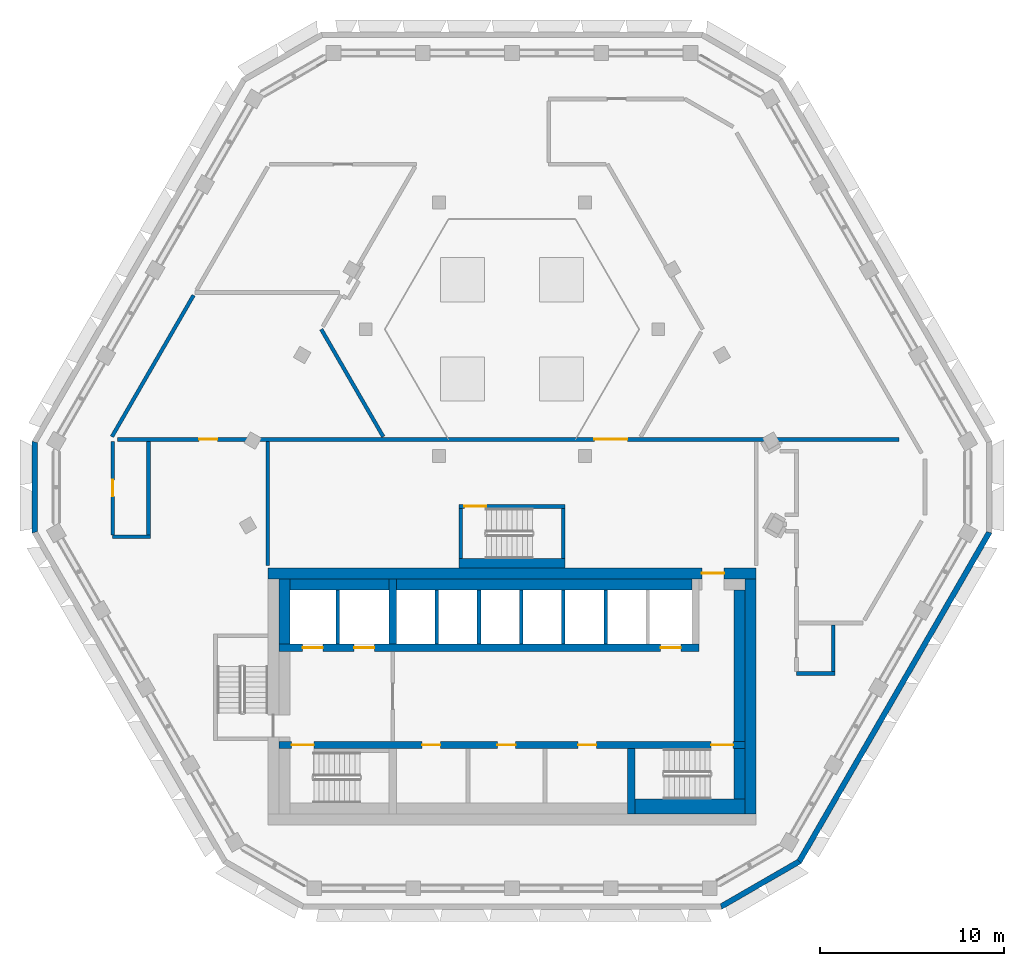
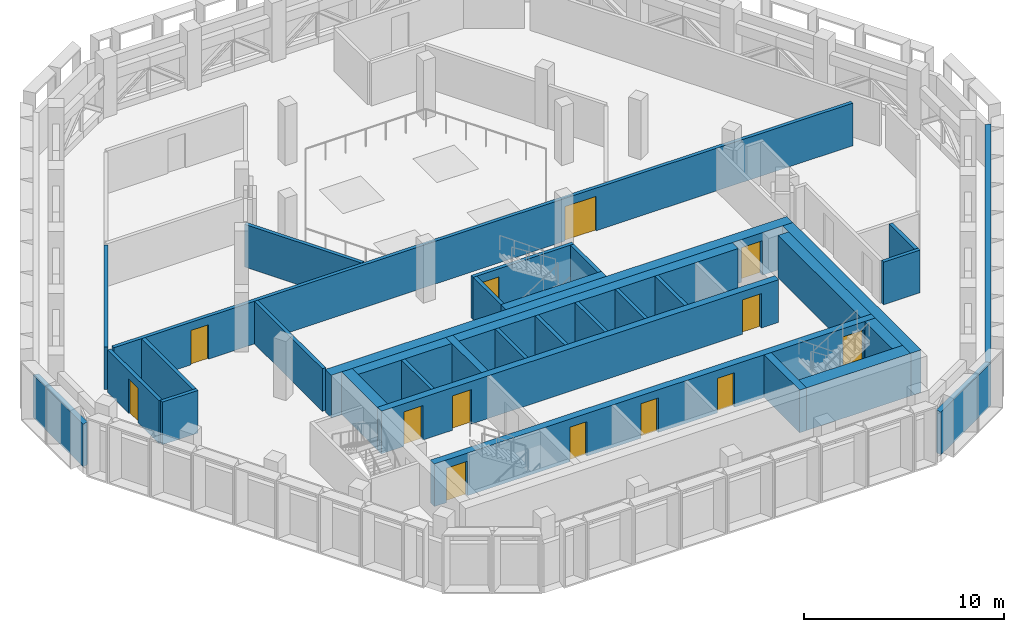
# One storey, part 11 of 24: 34 walls, 13 doors, 13 openings.
"""IFC4 building model written with IfcOpenShell, lengths in metres."""

from ifc_helpers import new_model, si_unit, direction, frame, frame_2d, origin, place, context, subcontext, project, spatial, polyline, rectangle, outline, extrude, material, layer, layer_set, type_object, element, fill, save


model = new_model("IFC4")

# Units and contexts
model_context = context("Model", 3, precision=1e-05, world=origin(), true_north=direction((0.0, 1.0)))
body_context = subcontext(model_context, "Body", "Model", "MODEL_VIEW")
ifc_project = project(units=[si_unit("LENGTHUNIT", "METRE"), si_unit("AREAUNIT", "SQUARE_METRE"), si_unit("VOLUMEUNIT", "CUBIC_METRE"), si_unit("PLANEANGLEUNIT", "RADIAN"), si_unit("MASSUNIT", "GRAM", prefix="KILO")], contexts=[model_context])

# Site, building, storey
site_placement = place(None, origin())
site = spatial("IfcSite", under=ifc_project, at=site_placement, CompositionType="ELEMENT")
building_placement = place(site_placement, origin())
building = spatial("IfcBuilding", under=site, at=building_placement, Name="Beryl Residences", CompositionType="ELEMENT")
storey_placement = place(building_placement, frame((0.0, 0.0, 199.199951171875)))
storey = spatial("IfcBuildingStorey", under=building, at=storey_placement, Name="L61", CompositionType="ELEMENT", Elevation=199.199951171875)

# Walls
ifc_material_1 = material(Name="Composite metal panel with mineral wool insulation")
ifc_layer_1 = layer(ifc_material_1, 0.300048828125)
ifc_layer_set_1 = layer_set([ifc_layer_1], Name="ES1 pale metal composite panel wall 300 mm")
wall_type_1 = type_object("IfcWallType", Name="ES1 pale metal composite panel wall 300 mm", PredefinedType="SOLIDWALL", material=ifc_layer_set_1)
for number, where, z_axis, x_axis, name in (
    (1, (-26.00390625, 1.89990234375, 0.0), (0.0, 0.0, 1.0), (0.0, -1.0, 0.0), "ES1 external wall L61 NW-SW"),
    (2, (11.35595703125, -23.469970703125, 0.0), (0.0, 0.0, 1.0), (0.866022959057, 0.500004234368, 0.0), "ES1 external wall L61 S-SE"),
):
    element("IfcWall", number, at=place(storey_placement, frame(where, z_axis=z_axis, x_axis=x_axis)), inside=storey, type_object=wall_type_1, Name=name, PredefinedType="SOLIDWALL", context=body_context, shape_type="SweptSolid", body=[
        extrude(outline(polyline([(0.0, -0.14990234375), (5.0, -0.14990234375), (4.919677734375, 0.14990234375), (0.080322265625, 0.14990234375), (0.0, -0.14990234375)])), origin(), (0.0, 0.0, 1.0), 2.60009765625),
    ])
wall_1_placement = place(storey_placement, frame((15.631103515625, -21.02490234375, 0.0), z_axis=(0.0, 0.0, 1.0), x_axis=(0.500018670445, 0.86601462413, 0.0)))
element("IfcWall", 3, at=wall_1_placement, inside=storey, type_object=wall_type_1, Name="ES1 external wall L61 SE", PredefinedType="SOLIDWALL", context=body_context, shape_type="SweptSolid", body=[
    extrude(outline(polyline([(0.0, -0.14990234375), (20.784912109375, -0.14990234375), (20.70458984375, 0.14990234375), (0.080322265625, 0.14990234375), (0.0, -0.14990234375)])), origin(), (0.0, 0.0, 1.0), 2.60009765625),
])
ifc_material_2 = material(Name="Cement board with tiles")
ifc_layer_2 = layer(ifc_material_2, 0.199951171875)
ifc_layer_set_2 = layer_set([ifc_layer_2], Name="PT11-200 wet area wall 200 mm")
wall_type_2 = type_object("IfcWallType", Name="PT11-200 wet area wall 200 mm", PredefinedType="PARTITIONING", material=ifc_layer_set_2)
wall_2_placement = place(storey_placement, frame((15.5, -10.751953125, 0.0), z_axis=(0.0, 0.0, 1.0), x_axis=(1.0, 0.0, 0.0)))
element("IfcWall", 4, at=wall_2_placement, inside=storey, type_object=wall_type_2, Name="Wall PT11-200 L61 001", PredefinedType="PARTITIONING", context=body_context, shape_type="SweptSolid", body=[
    extrude(rectangle(XDim=2.10009765625, YDim=0.199951171875, at=frame_2d((1.050048828125, 0.0))), origin(), (0.0, 0.0, 1.0), 2.60009765625),
])
wall_3_placement = place(storey_placement, frame((-21.75390625, -3.304931640625, 0.0), z_axis=(0.0, 0.0, 1.0), x_axis=(1.0, 0.0, 0.0)))
element("IfcWall", 5, at=wall_3_placement, inside=storey, type_object=wall_type_2, Name="Wall PT11-200 L61 002", PredefinedType="PARTITIONING", context=body_context, shape_type="SweptSolid", body=[
    extrude(rectangle(XDim=2.053955078125, YDim=0.199951171875, at=frame_2d((1.02685546875, 0.0))), origin(), (0.0, 0.0, 1.0), 2.60009765625),
])

# Wall, opening, door
wall_4_placement = place(storey_placement, frame((-21.75390625, -3.205078125, 0.0), z_axis=(0.0, 0.0, 1.0), x_axis=(0.0, 1.0, 0.0)))
wall_4 = element("IfcWall", 6, at=wall_4_placement, inside=storey, type_object=wall_type_2, Name="Wall PT11-200 L61 003", PredefinedType="PARTITIONING", context=body_context, shape_type="SweptSolid", body=[
    extrude(rectangle(XDim=5.10498046875, YDim=0.199951171875, at=frame_2d((2.552490234375, 0.0))), origin(), (0.0, 0.0, 1.0), 2.60009765625),
])
opening_1_placement = place(wall_4_placement, frame((3.001953125, 0.0, 0.0), z_axis=(0.0, 0.0, 1.0), x_axis=(-1.0, 0.0, 0.0)))
opening_1 = element("IfcOpeningElement", 7, at=opening_1_placement, cuts=wall_4, Name="Opening L61-01", PredefinedType="OPENING", context=body_context, shape_type="SweptSolid", body=[
    extrude(rectangle(XDim=0.89990234375, YDim=2.10009765625, at=frame_2d((0.449951171875, 1.050048828125))), frame((0.0, 0.10986328125, 0.0), z_axis=(0.0, -1.0, 0.0), x_axis=(1.0, 0.0, 0.0)), (0.0, 0.0, 1.0), 0.219970703125),
])
ifc_material_3 = material(Name="Timber door leaf", Category="wood")
door_type_1 = type_object("IfcDoorType", Name="D2 room door 900 x 2100 mm", OperationType="SINGLE_SWING_LEFT", PredefinedType="DOOR", material=ifc_material_3)
door_1_placement = place(opening_1_placement, origin())
door_1 = element("IfcDoor", 8, at=door_1_placement, inside=storey, type_object=door_type_1, Name="Door L61-01 L61 001", OperationType="SINGLE_SWING_RIGHT", OverallHeight=2.10009765625, OverallWidth=0.89990234375, PredefinedType="DOOR", context=body_context, shape_type="SweptSolid", body=[
    extrude(rectangle(XDim=0.89990234375, YDim=2.10009765625, at=frame_2d((0.449951171875, 1.050048828125))), frame((0.0, 0.02490234375, 0.0), z_axis=(0.0, -1.0, 0.0), x_axis=(1.0, 0.0, 0.0)), (0.0, 0.0, 1.0), 0.050048828125),
])
fill(opening_1, door_1)

# Walls
wall_5_placement = place(storey_placement, frame((-19.800048828125, -3.205078125, 0.0), z_axis=(0.0, 0.0, 1.0), x_axis=(0.0, 1.0, 0.0)))
element("IfcWall", 9, at=wall_5_placement, inside=storey, type_object=wall_type_2, Name="Wall PT11-200 L61 004", PredefinedType="PARTITIONING", context=body_context, shape_type="SweptSolid", body=[
    extrude(rectangle(XDim=5.10498046875, YDim=0.199951171875, at=frame_2d((2.552490234375, 0.0))), origin(), (0.0, 0.0, 1.0), 2.60009765625),
])
wall_6_placement = place(storey_placement, frame((17.5, -10.652099609375, 0.0), z_axis=(0.0, 0.0, 1.0), x_axis=(0.0, 1.0, 0.0)))
element("IfcWall", 10, at=wall_6_placement, inside=storey, type_object=wall_type_2, Name="Wall PT11-200 L61 005", PredefinedType="PARTITIONING", context=body_context, shape_type="SweptSolid", body=[
    extrude(rectangle(XDim=2.552001953125, YDim=0.199951171875, at=frame_2d((1.27587890625, 0.0))), origin(), (0.0, 0.0, 1.0), 2.60009765625),
])
ifc_material_4 = material(Name="Concrete masonry", Category="masonry")
ifc_layer_3 = layer(ifc_material_4, 0.60009765625)
ifc_layer_set_3 = layer_set([ifc_layer_3], Name="PT13-600 lobby wall 600 mm")
wall_type_3 = type_object("IfcWallType", Name="PT13-600 lobby wall 600 mm", PredefinedType="PARTITIONING", material=ifc_layer_set_3)
wall_7_placement = place(storey_placement, frame((12.39990234375, -14.449951171875, 0.0), z_axis=(0.0, 0.0, 1.0), x_axis=(0.0, 1.0, 0.0)))
element("IfcWall", 11, at=wall_7_placement, inside=storey, type_object=wall_type_3, Name="Lobby wall 27", PredefinedType="PARTITIONING", context=body_context, shape_type="SweptSolid", body=[
    extrude(rectangle(XDim=8.25, YDim=0.60009765625, at=frame_2d((4.125, 0.0))), origin(), (0.0, 0.0, 1.0), 2.60009765625),
])
ifc_material_5 = material(Name="Double stud gypsum board wall")
ifc_layer_4 = layer(ifc_material_5, 0.199951171875)
ifc_layer_set_4 = layer_set([ifc_layer_4], Name="PT4 corridor wall 200 mm double stud")
wall_type_4 = type_object("IfcWallType", Name="PT4 corridor wall 200 mm double stud", PredefinedType="PARTITIONING", material=ifc_layer_set_4)
wall_8_placement = place(storey_placement, frame((-13.300048828125, -4.8798828125, 0.0), z_axis=(0.0, 0.0, 1.0), x_axis=(0.0, 1.0, 0.0)))
element("IfcWall", 12, at=wall_8_placement, inside=storey, type_object=wall_type_4, Name="Wall PT4 L61 002", PredefinedType="PARTITIONING", context=body_context, shape_type="SweptSolid", body=[
    extrude(rectangle(XDim=6.77978515625, YDim=0.199951171875, at=frame_2d((3.389892578125, 0.0))), origin(), (0.0, 0.0, 1.0), 2.60009765625),
])

# Wall, opening, door
ifc_material_6 = material(Name="Concrete C40/50", Category="concrete")
ifc_layer_5 = layer(ifc_material_6, 0.199951171875)
ifc_layer_set_5 = layer_set([ifc_layer_5], Name="PT5 stair enclosure wall 200 mm reinforced concrete C40/50")
wall_type_5 = type_object("IfcWallType", Name="PT5 stair enclosure wall 200 mm reinforced concrete C40/50", PredefinedType="SOLIDWALL", material=ifc_layer_set_5)
wall_9_placement = place(storey_placement, frame((-2.89990234375, -1.64990234375, 0.0), z_axis=(0.0, 0.0, 1.0), x_axis=(1.0, 0.0, 0.0)))
wall_9 = element("IfcWall", 13, at=wall_9_placement, inside=storey, type_object=wall_type_5, Name="Wall PT5 L61 001", PredefinedType="SOLIDWALL", context=body_context, shape_type="SweptSolid", body=[
    extrude(rectangle(XDim=5.7998046875, YDim=0.199951171875, at=frame_2d((2.89990234375, 0.0))), origin(), (0.0, 0.0, 1.0), 2.60009765625),
])
opening_2_placement = place(wall_9_placement, frame((0.300048828125, 0.0, 0.0)))
opening_2 = element("IfcOpeningElement", 14, at=opening_2_placement, cuts=wall_9, Name="Opening DS04", PredefinedType="OPENING", context=body_context, shape_type="SweptSolid", body=[
    extrude(rectangle(XDim=1.199951171875, YDim=2.10009765625, at=frame_2d((0.60009765625, 1.050048828125))), frame((0.0, 0.10986328125, 0.0), z_axis=(0.0, -1.0, 0.0), x_axis=(1.0, 0.0, 0.0)), (0.0, 0.0, 1.0), 0.219970703125),
])
ifc_material_7 = material(Name="Steel door leaf in steel frame", Category="steel")
door_type_2 = type_object("IfcDoorType", Name="D4 stair door 1200 x 2100 mm", OperationType="SINGLE_SWING_LEFT", PredefinedType="DOOR", material=ifc_material_7)
door_2_placement = place(opening_2_placement, origin())
door_2 = element("IfcDoor", 15, at=door_2_placement, inside=storey, type_object=door_type_2, Name="Door DS04 L61 001", OperationType="SINGLE_SWING_LEFT", OverallHeight=2.10009765625, OverallWidth=1.199951171875, PredefinedType="DOOR", context=body_context, shape_type="SweptSolid", body=[
    extrude(rectangle(XDim=1.199951171875, YDim=2.10009765625, at=frame_2d((0.60009765625, 1.050048828125))), frame((0.0, 0.02490234375, 0.0), z_axis=(0.0, -1.0, 0.0), x_axis=(1.0, 0.0, 0.0)), (0.0, 0.0, 1.0), 0.050048828125),
])
fill(opening_2, door_2)

# Walls
for number, where, z_axis, x_axis, name in (
    (16, (-2.800048828125, -4.5, 0.0), (0.0, 0.0, 1.0), (0.0, 1.0, 0.0), "Wall PT5 L61 002"),
    (17, (2.800048828125, -4.5, 0.0), (0.0, 0.0, 1.0), (0.0, 1.0, 0.0), "Wall PT5 L61 003"),
):
    element("IfcWall", number, at=place(storey_placement, frame(where, z_axis=z_axis, x_axis=x_axis)), inside=storey, type_object=wall_type_5, Name=name, PredefinedType="SOLIDWALL", context=body_context, shape_type="SweptSolid", body=[
        extrude(rectangle(XDim=2.75, YDim=0.199951171875, at=frame_2d((1.375, 0.0))), origin(), (0.0, 0.0, 1.0), 2.60009765625),
    ])
ifc_material_8 = material(Name="Concrete C40/50", Category="concrete")
ifc_layer_6 = layer(ifc_material_8, 0.5)
ifc_layer_set_6 = layer_set([ifc_layer_6], Name="PT5-500 stair enclosure wall 500 mm")
wall_type_6 = type_object("IfcWallType", Name="PT5-500 stair enclosure wall 500 mm", PredefinedType="SOLIDWALL", material=ifc_layer_set_6)
wall_10_placement = place(storey_placement, frame((-2.89990234375, -4.75, 0.0), z_axis=(0.0, 0.0, 1.0), x_axis=(1.0, 0.0, 0.0)))
element("IfcWall", 18, at=wall_10_placement, inside=storey, type_object=wall_type_6, Name="Wall PT5-500 L61 001", PredefinedType="SOLIDWALL", context=body_context, shape_type="SweptSolid", body=[
    extrude(rectangle(XDim=5.7998046875, YDim=0.5, at=frame_2d((2.89990234375, 0.0))), origin(), (0.0, 0.0, 1.0), 2.60009765625),
])
ifc_material_9 = material(Name="Concrete C40/50", Category="concrete")
ifc_layer_7 = layer(ifc_material_9, 0.60009765625)
ifc_layer_set_7 = layer_set([ifc_layer_7], Name="PT5-600 stair enclosure wall 600 mm")
wall_type_7 = type_object("IfcWallType", Name="PT5-600 stair enclosure wall 600 mm", PredefinedType="SOLIDWALL", material=ifc_layer_set_7)
wall_11_placement = place(storey_placement, frame((12.39990234375, -17.60009765625, 0.0), z_axis=(0.0, 0.0, 1.0), x_axis=(0.0, 1.0, 0.0)))
element("IfcWall", 19, at=wall_11_placement, inside=storey, type_object=wall_type_7, Name="Stair wall 26", PredefinedType="SOLIDWALL", context=body_context, shape_type="SweptSolid", body=[
    extrude(rectangle(XDim=2.75, YDim=0.60009765625, at=frame_2d((1.375, 0.0))), origin(), (0.0, 0.0, 1.0), 2.60009765625),
])
ifc_material_10 = material(Name="Concrete C40/50", Category="concrete")
ifc_layer_8 = layer(ifc_material_10, 0.800048828125)
ifc_layer_set_8 = layer_set([ifc_layer_8], Name="PT5-800 stair enclosure wall 800 mm")
wall_type_8 = type_object("IfcWallType", Name="PT5-800 stair enclosure wall 800 mm", PredefinedType="SOLIDWALL", material=ifc_layer_set_8)
wall_12_placement = place(storey_placement, frame((6.699951171875, -18.0, 0.0), z_axis=(0.0, 0.0, 1.0), x_axis=(1.0, 0.0, 0.0)))
element("IfcWall", 20, at=wall_12_placement, inside=storey, type_object=wall_type_8, Name="Stair wall 22", PredefinedType="SOLIDWALL", context=body_context, shape_type="SweptSolid", body=[
    extrude(rectangle(XDim=6.0, YDim=0.800048828125, at=frame_2d((3.0, 0.0))), origin(), (0.0, 0.0, 1.0), 2.60009765625),
])
ifc_material_11 = material(Name="Concrete C40/50", Category="concrete")
ifc_layer_9 = layer(ifc_material_11, 0.199951171875)
ifc_layer_set_9 = layer_set([ifc_layer_9], Name="PT6 lift shaft wall 200 mm reinforced concrete C40/50")
wall_type_9 = type_object("IfcWallType", Name="PT6 lift shaft wall 200 mm reinforced concrete C40/50", PredefinedType="SOLIDWALL", material=ifc_layer_set_9)
for number, where, z_axis, x_axis, name in (
    (21, (-9.5, -9.14990234375, 0.0), (0.0, 0.0, 1.0), (0.0, 1.0, 0.0), "Lift shaft wall 11"),
    (22, (-4.10009765625, -9.14990234375, 0.0), (0.0, 0.0, 1.0), (0.0, 1.0, 0.0), "Lift shaft wall 15"),
    (23, (-1.800048828125, -9.14990234375, 0.0), (0.0, 0.0, 1.0), (0.0, 1.0, 0.0), "Lift shaft wall 17"),
    (24, (0.5, -9.14990234375, 0.0), (0.0, 0.0, 1.0), (0.0, 1.0, 0.0), "Lift shaft wall 18"),
    (25, (2.800048828125, -9.14990234375, 0.0), (0.0, 0.0, 1.0), (0.0, 1.0, 0.0), "Lift shaft wall 20"),
    (26, (5.10009765625, -9.14990234375, 0.0), (0.0, 0.0, 1.0), (0.0, 1.0, 0.0), "Lift shaft wall 21"),
):
    element("IfcWall", number, at=place(storey_placement, frame(where, z_axis=z_axis, x_axis=x_axis)), inside=storey, type_object=wall_type_9, Name=name, PredefinedType="SOLIDWALL", context=body_context, shape_type="SweptSolid", body=[
        extrude(rectangle(XDim=2.949951171875, YDim=0.199951171875, at=frame_2d((1.47509765625, 0.0))), origin(), (0.0, 0.0, 1.0), 2.60009765625),
    ])
ifc_material_12 = material(Name="Concrete C40/50", Category="concrete")
ifc_layer_10 = layer(ifc_material_12, 0.60009765625)
ifc_layer_set_10 = layer_set([ifc_layer_10], Name="PT6-600 lift shaft wall 600 mm")
wall_type_10 = type_object("IfcWallType", Name="PT6-600 lift shaft wall 600 mm", PredefinedType="SOLIDWALL", material=ifc_layer_set_10)
wall_13_placement = place(storey_placement, frame((-12.39990234375, -9.14990234375, 0.0), z_axis=(0.0, 0.0, 1.0), x_axis=(0.0, 1.0, 0.0)))
element("IfcWall", 27, at=wall_13_placement, inside=storey, type_object=wall_type_10, Name="Lift shaft wall 07", PredefinedType="SOLIDWALL", context=body_context, shape_type="SweptSolid", body=[
    extrude(rectangle(XDim=3.5498046875, YDim=0.60009765625, at=frame_2d((1.77490234375, 0.0))), origin(), (0.0, 0.0, 1.0), 2.60009765625),
])
wall_14_placement = place(storey_placement, frame((-12.10009765625, -5.89990234375, 0.0), z_axis=(0.0, 0.0, 1.0), x_axis=(1.0, 0.0, 0.0)))
element("IfcWall", 28, at=wall_14_placement, inside=storey, type_object=wall_type_10, Name="Lift shaft wall 09", PredefinedType="SOLIDWALL", context=body_context, shape_type="SweptSolid", body=[
    extrude(rectangle(XDim=5.400146484375, YDim=0.60009765625, at=frame_2d((2.7001953125, 0.0))), origin(), (0.0, 0.0, 1.0), 2.60009765625),
])
wall_15_placement = place(storey_placement, frame((-6.300048828125, -5.89990234375, 0.0), z_axis=(0.0, 0.0, 1.0), x_axis=(1.0, 0.0, 0.0)))
element("IfcWall", 29, at=wall_15_placement, inside=storey, type_object=wall_type_10, Name="Lift shaft wall 14", PredefinedType="SOLIDWALL", context=body_context, shape_type="SweptSolid", body=[
    extrude(rectangle(XDim=16.10009765625, YDim=0.60009765625, at=frame_2d((8.050048828125, 0.0))), origin(), (0.0, 0.0, 1.0), 2.60009765625),
])

# Wall, openings, doors
ifc_material_13 = material(Name="Concrete C40/50", Category="concrete")
ifc_layer_11 = layer(ifc_material_13, 0.199951171875)
ifc_layer_set_11 = layer_set([ifc_layer_11], Name="PT9-200 plant room wall 200 mm")
wall_type_11 = type_object("IfcWallType", Name="PT9-200 plant room wall 200 mm", PredefinedType="SOLIDWALL", material=ifc_layer_set_11)
wall_16_placement = place(storey_placement, frame((-21.48193359375, 2.0, 0.0), z_axis=(0.0, 0.0, 1.0), x_axis=(1.0, 0.0, 0.0)))
wall_16 = element("IfcWall", 30, at=wall_16_placement, inside=storey, type_object=wall_type_11, Name="Wall PT9-200 L61 005", PredefinedType="SOLIDWALL", context=body_context, shape_type="SweptSolid", body=[
    extrude(rectangle(XDim=42.56396484375, YDim=0.199951171875, at=frame_2d((21.281982421875, 0.0))), origin(), (0.0, 0.0, 1.0), 2.60009765625),
])
opening_3_placement = place(wall_16_placement, frame((4.431884765625, 0.0, 0.0)))
opening_3 = element("IfcOpeningElement", 31, at=opening_3_placement, cuts=wall_16, Name="Opening L61-06", PredefinedType="OPENING", context=body_context, shape_type="SweptSolid", body=[
    extrude(rectangle(XDim=1.0, YDim=2.10009765625, at=frame_2d((0.5, 1.050048828125))), frame((0.0, 0.10986328125, 0.0), z_axis=(0.0, -1.0, 0.0), x_axis=(1.0, 0.0, 0.0)), (0.0, 0.0, 1.0), 0.219970703125),
])
opening_4_placement = place(wall_16_placement, frame((25.971923828125, 0.0, 0.0)))
opening_4 = element("IfcOpeningElement", 32, at=opening_4_placement, cuts=wall_16, Name="Opening L61-07", PredefinedType="OPENING", context=body_context, shape_type="SweptSolid", body=[
    extrude(rectangle(XDim=1.800048828125, YDim=2.10009765625, at=frame_2d((0.89990234375, 1.050048828125))), frame((0.0, 0.10986328125, 0.0), z_axis=(0.0, -1.0, 0.0), x_axis=(1.0, 0.0, 0.0)), (0.0, 0.0, 1.0), 0.219970703125),
])
ifc_material_14 = material(Name="Steel door leaf in steel frame", Category="steel")
door_type_3 = type_object("IfcDoorType", Name="D16 plant room door 1000 x 2100 mm", OperationType="SINGLE_SWING_LEFT", PredefinedType="DOOR", material=ifc_material_14)
door_3_placement = place(opening_3_placement, origin())
door_3 = element("IfcDoor", 33, at=door_3_placement, inside=storey, type_object=door_type_3, Name="Door L61-06 L61 001", OperationType="SINGLE_SWING_RIGHT", OverallHeight=2.10009765625, OverallWidth=1.0, PredefinedType="DOOR", context=body_context, shape_type="SweptSolid", body=[
    extrude(rectangle(XDim=1.0, YDim=2.10009765625, at=frame_2d((0.5, 1.050048828125))), frame((0.0, 0.02490234375, 0.0), z_axis=(0.0, -1.0, 0.0), x_axis=(1.0, 0.0, 0.0)), (0.0, 0.0, 1.0), 0.050048828125),
])
fill(opening_3, door_3)
ifc_material_15 = material(Name="Timber door leaf", Category="wood")
door_type_4 = type_object("IfcDoorType", Name="D20 corridor door 1800 x 2100 mm", OperationType="DOUBLE_DOOR_SINGLE_SWING", PredefinedType="DOOR", material=ifc_material_15)
door_4_placement = place(opening_4_placement, origin())
door_4 = element("IfcDoor", 34, at=door_4_placement, inside=storey, type_object=door_type_4, Name="Door L61-07 L61 001", OperationType="DOUBLE_DOOR_SINGLE_SWING", OverallHeight=2.10009765625, OverallWidth=1.800048828125, PredefinedType="DOOR", context=body_context, shape_type="SweptSolid", body=[
    extrude(rectangle(XDim=1.800048828125, YDim=2.10009765625, at=frame_2d((0.89990234375, 1.050048828125))), frame((0.0, 0.02490234375, 0.0), z_axis=(0.0, -1.0, 0.0), x_axis=(1.0, 0.0, 0.0)), (0.0, 0.0, 1.0), 0.050048828125),
])
fill(opening_4, door_4)

# Walls
wall_17_placement = place(storey_placement, frame((-10.39208984375, 8.0, 0.0), z_axis=(0.0, 0.0, 1.0), x_axis=(0.500051862572, -0.865995458844, 0.0)))
element("IfcWall", 35, at=wall_17_placement, inside=storey, type_object=wall_type_11, Name="Wall PT9-200 L61 020", PredefinedType="SOLIDWALL", context=body_context, shape_type="SweptSolid", body=[
    extrude(rectangle(XDim=6.757568359375, YDim=0.199951171875, at=frame_2d((3.37890625, 0.0))), origin(), (0.0, 0.0, 1.0), 2.60009765625),
])
wall_18_placement = place(storey_placement, frame((-21.794921875, 2.14990234375, 0.0), z_axis=(0.0, 0.0, 1.0), x_axis=(0.500007671222, 0.866020974757, 0.0)))
element("IfcWall", 36, at=wall_18_placement, inside=storey, type_object=wall_type_11, Name="Wall PT9-200 L61 033", PredefinedType="SOLIDWALL", context=body_context, shape_type="SweptSolid", body=[
    extrude(rectangle(XDim=8.891357421875, YDim=0.199951171875, at=frame_2d((4.44580078125, 0.0))), origin(), (0.0, 0.0, 1.0), 2.60009765625),
])

# Wall, opening, door
ifc_material_16 = material(Name="Concrete C50/60", Category="concrete")
ifc_layer_12 = layer(ifc_material_16, 0.60009765625)
ifc_layer_set_12 = layer_set([ifc_layer_12], Name="SW4 core outer wall 600 mm C50/60")
wall_type_12 = type_object("IfcWallType", Name="SW4 core outer wall 600 mm C50/60", PredefinedType="SHEAR", material=ifc_layer_set_12)
wall_19_placement = place(storey_placement, frame((-13.300048828125, -5.300048828125, 0.0), z_axis=(0.0, 0.0, 1.0), x_axis=(1.0, 0.0, 0.0)))
wall_19 = element("IfcWall", 37, at=wall_19_placement, inside=storey, type_object=wall_type_12, Name="Core wall N L61", PredefinedType="SHEAR", context=body_context, shape_type="SweptSolid", body=[
    extrude(rectangle(XDim=26.60009765625, YDim=0.60009765625, at=frame_2d((13.300048828125, 0.0))), origin(), (0.0, 0.0, 1.0), 2.60009765625),
])
opening_5_placement = place(wall_19_placement, frame((23.64990234375, 0.0, 0.0)))
opening_5 = element("IfcOpeningElement", 38, at=opening_5_placement, cuts=wall_19, Name="Opening FD-NORTH", PredefinedType="OPENING", context=body_context, shape_type="SweptSolid", body=[
    extrude(rectangle(XDim=1.199951171875, YDim=2.10009765625, at=frame_2d((0.60009765625, 1.050048828125))), frame((0.0, 0.31005859375, 0.0), z_axis=(0.0, -1.0, 0.0), x_axis=(1.0, 0.0, 0.0)), (0.0, 0.0, 1.0), 0.6201171875),
])
ifc_material_17 = material(Name="Steel door leaf in steel frame", Category="steel")
door_type_5 = type_object("IfcDoorType", Name="D22 lobby door 1200 x 2100 mm", OperationType="DOUBLE_DOOR_SINGLE_SWING", PredefinedType="DOOR", material=ifc_material_17)
door_5_placement = place(opening_5_placement, origin())
door_5 = element("IfcDoor", 39, at=door_5_placement, inside=storey, type_object=door_type_5, Name="Door FD-NORTH L61 001", OperationType="DOUBLE_DOOR_SINGLE_SWING", OverallHeight=2.10009765625, OverallWidth=1.199951171875, PredefinedType="DOOR", context=body_context, shape_type="SweptSolid", body=[
    extrude(rectangle(XDim=1.199951171875, YDim=2.10009765625, at=frame_2d((0.60009765625, 1.050048828125))), frame((0.0, 0.02490234375, 0.0), z_axis=(0.0, -1.0, 0.0), x_axis=(1.0, 0.0, 0.0)), (0.0, 0.0, 1.0), 0.050048828125),
])
fill(opening_5, door_5)

# Wall
wall_20_placement = place(storey_placement, frame((13.0, -18.39990234375, 0.0), z_axis=(0.0, 0.0, 1.0), x_axis=(0.0, 1.0, 0.0)))
element("IfcWall", 40, at=wall_20_placement, inside=storey, type_object=wall_type_12, Name="Core wall E L61", PredefinedType="SHEAR", context=body_context, shape_type="SweptSolid", body=[
    extrude(rectangle(XDim=12.7998046875, YDim=0.60009765625, at=frame_2d((6.39990234375, 0.0))), origin(), (0.0, 0.0, 1.0), 2.60009765625),
])

# Wall, openings, doors
ifc_material_18 = material(Name="Concrete C50/60", Category="concrete")
ifc_layer_13 = layer(ifc_material_18, 0.39990234375)
ifc_layer_set_13 = layer_set([ifc_layer_13], Name="SW9 core internal wall 400 mm C50/60")
wall_type_13 = type_object("IfcWallType", Name="SW9 core internal wall 400 mm C50/60", PredefinedType="SHEAR", material=ifc_layer_set_13)
wall_21_placement = place(storey_placement, frame((-12.699951171875, -14.64990234375, 0.0), z_axis=(0.0, 0.0, 1.0), x_axis=(1.0, 0.0, 0.0)))
wall_21 = element("IfcWall", 41, at=wall_21_placement, inside=storey, type_object=wall_type_13, Name="Core wall SP1 L61", PredefinedType="SHEAR", context=body_context, shape_type="SweptSolid", body=[
    extrude(rectangle(XDim=25.39990234375, YDim=0.39990234375, at=frame_2d((12.699951171875, 0.0))), origin(), (0.0, 0.0, 1.0), 2.60009765625),
])
opening_6_placement = place(wall_21_placement, frame((1.89990234375, 0.0, 0.0), z_axis=(0.0, 0.0, 1.0), x_axis=(-1.0, 0.0, 0.0)))
opening_6 = element("IfcOpeningElement", 42, at=opening_6_placement, cuts=wall_21, Name="Opening SD-1", PredefinedType="OPENING", context=body_context, shape_type="SweptSolid", body=[
    extrude(rectangle(XDim=1.199951171875, YDim=2.10009765625, at=frame_2d((0.60009765625, 1.050048828125))), frame((0.0, 0.2099609375, 0.0), z_axis=(0.0, -1.0, 0.0), x_axis=(1.0, 0.0, 0.0)), (0.0, 0.0, 1.0), 0.419921875),
])
opening_7_placement = place(wall_21_placement, frame((24.75, 0.0, 0.0), z_axis=(0.0, 0.0, 1.0), x_axis=(-1.0, 0.0, 0.0)))
opening_7 = element("IfcOpeningElement", 43, at=opening_7_placement, cuts=wall_21, Name="Opening SD-3", PredefinedType="OPENING", context=body_context, shape_type="SweptSolid", body=[
    extrude(rectangle(XDim=1.199951171875, YDim=2.10009765625, at=frame_2d((0.60009765625, 1.050048828125))), frame((0.0, 0.2099609375, 0.0), z_axis=(0.0, -1.0, 0.0), x_axis=(1.0, 0.0, 0.0)), (0.0, 0.0, 1.0), 0.419921875),
])
opening_8_placement = place(wall_21_placement, frame((8.800048828125, 0.0, 0.0), z_axis=(0.0, 0.0, 1.0), x_axis=(-1.0, 0.0, 0.0)))
opening_8 = element("IfcOpeningElement", 44, at=opening_8_placement, cuts=wall_21, Name="Opening CD-D-S1", PredefinedType="OPENING", context=body_context, shape_type="SweptSolid", body=[
    extrude(rectangle(XDim=1.0, YDim=2.10009765625, at=frame_2d((0.5, 1.050048828125))), frame((0.0, 0.2099609375, 0.0), z_axis=(0.0, -1.0, 0.0), x_axis=(1.0, 0.0, 0.0)), (0.0, 0.0, 1.0), 0.419921875),
])
opening_9_placement = place(wall_21_placement, frame((12.89990234375, 0.0, 0.0), z_axis=(0.0, 0.0, 1.0), x_axis=(-1.0, 0.0, 0.0)))
opening_9 = element("IfcOpeningElement", 45, at=opening_9_placement, cuts=wall_21, Name="Opening CD-D-S2", PredefinedType="OPENING", context=body_context, shape_type="SweptSolid", body=[
    extrude(rectangle(XDim=1.0, YDim=2.10009765625, at=frame_2d((0.5, 1.050048828125))), frame((0.0, 0.2099609375, 0.0), z_axis=(0.0, -1.0, 0.0), x_axis=(1.0, 0.0, 0.0)), (0.0, 0.0, 1.0), 0.419921875),
])
opening_10_placement = place(wall_21_placement, frame((17.300048828125, 0.0, 0.0), z_axis=(0.0, 0.0, 1.0), x_axis=(-1.0, 0.0, 0.0)))
opening_10 = element("IfcOpeningElement", 46, at=opening_10_placement, cuts=wall_21, Name="Opening CD-D-S3", PredefinedType="OPENING", context=body_context, shape_type="SweptSolid", body=[
    extrude(rectangle(XDim=1.0, YDim=2.10009765625, at=frame_2d((0.5, 1.050048828125))), frame((0.0, 0.2099609375, 0.0), z_axis=(0.0, -1.0, 0.0), x_axis=(1.0, 0.0, 0.0)), (0.0, 0.0, 1.0), 0.419921875),
])
ifc_material_19 = material(Name="Steel door leaf in steel frame", Category="steel")
door_type_6 = type_object("IfcDoorType", Name="D18 service room door 1000 x 2100 mm", OperationType="SINGLE_SWING_LEFT", PredefinedType="DOOR", material=ifc_material_19)
door_6_placement = place(opening_8_placement, origin())
door_6 = element("IfcDoor", 47, at=door_6_placement, inside=storey, type_object=door_type_6, Name="Door CD-D-S1 L61 001", OperationType="SINGLE_SWING_RIGHT", OverallHeight=2.10009765625, OverallWidth=1.0, PredefinedType="DOOR", context=body_context, shape_type="SweptSolid", body=[
    extrude(rectangle(XDim=1.0, YDim=2.10009765625, at=frame_2d((0.5, 1.050048828125))), frame((0.0, 0.02490234375, 0.0), z_axis=(0.0, -1.0, 0.0), x_axis=(1.0, 0.0, 0.0)), (0.0, 0.0, 1.0), 0.050048828125),
])
fill(opening_8, door_6)
door_7_placement = place(opening_9_placement, origin())
door_7 = element("IfcDoor", 48, at=door_7_placement, inside=storey, type_object=door_type_6, Name="Door CD-D-S2 L61 001", OperationType="SINGLE_SWING_LEFT", OverallHeight=2.10009765625, OverallWidth=1.0, PredefinedType="DOOR", context=body_context, shape_type="SweptSolid", body=[
    extrude(rectangle(XDim=1.0, YDim=2.10009765625, at=frame_2d((0.5, 1.050048828125))), frame((0.0, 0.02490234375, 0.0), z_axis=(0.0, -1.0, 0.0), x_axis=(1.0, 0.0, 0.0)), (0.0, 0.0, 1.0), 0.050048828125),
])
fill(opening_9, door_7)
door_8_placement = place(opening_10_placement, origin())
door_8 = element("IfcDoor", 49, at=door_8_placement, inside=storey, type_object=door_type_6, Name="Door CD-D-S3 L61 001", OperationType="SINGLE_SWING_RIGHT", OverallHeight=2.10009765625, OverallWidth=1.0, PredefinedType="DOOR", context=body_context, shape_type="SweptSolid", body=[
    extrude(rectangle(XDim=1.0, YDim=2.10009765625, at=frame_2d((0.5, 1.050048828125))), frame((0.0, 0.02490234375, 0.0), z_axis=(0.0, -1.0, 0.0), x_axis=(1.0, 0.0, 0.0)), (0.0, 0.0, 1.0), 0.050048828125),
])
fill(opening_10, door_8)
door_9_placement = place(opening_6_placement, origin())
door_9 = element("IfcDoor", 50, at=door_9_placement, inside=storey, type_object=door_type_2, Name="Door SD-1 L61 001", OperationType="SINGLE_SWING_RIGHT", OverallHeight=2.10009765625, OverallWidth=1.199951171875, PredefinedType="DOOR", context=body_context, shape_type="SweptSolid", body=[
    extrude(rectangle(XDim=1.199951171875, YDim=2.10009765625, at=frame_2d((0.60009765625, 1.050048828125))), frame((0.0, 0.02490234375, 0.0), z_axis=(0.0, -1.0, 0.0), x_axis=(1.0, 0.0, 0.0)), (0.0, 0.0, 1.0), 0.050048828125),
])
fill(opening_6, door_9)
door_10_placement = place(opening_7_placement, origin())
door_10 = element("IfcDoor", 51, at=door_10_placement, inside=storey, type_object=door_type_2, Name="Door SD-3 L61 001", OperationType="SINGLE_SWING_RIGHT", OverallHeight=2.10009765625, OverallWidth=1.199951171875, PredefinedType="DOOR", context=body_context, shape_type="SweptSolid", body=[
    extrude(rectangle(XDim=1.199951171875, YDim=2.10009765625, at=frame_2d((0.60009765625, 1.050048828125))), frame((0.0, 0.02490234375, 0.0), z_axis=(0.0, -1.0, 0.0), x_axis=(1.0, 0.0, 0.0)), (0.0, 0.0, 1.0), 0.050048828125),
])
fill(opening_7, door_10)

wall_22_placement = place(storey_placement, frame((-12.699951171875, -9.35009765625, 0.0), z_axis=(0.0, 0.0, 1.0), x_axis=(1.0, 0.0, 0.0)))
wall_22 = element("IfcWall", 52, at=wall_22_placement, inside=storey, type_object=wall_type_13, Name="Core wall SP2 L61", PredefinedType="SHEAR", context=body_context, shape_type="SweptSolid", body=[
    extrude(rectangle(XDim=22.89990234375, YDim=0.39990234375, at=frame_2d((11.449951171875, 0.0))), origin(), (0.0, 0.0, 1.0), 2.60009765625),
])
opening_11_placement = place(wall_22_placement, frame((1.300048828125, 0.0, 0.0)))
opening_11 = element("IfcOpeningElement", 53, at=opening_11_placement, cuts=wall_22, Name="Opening LD-FF1", PredefinedType="OPENING", context=body_context, shape_type="SweptSolid", body=[
    extrude(rectangle(XDim=1.10009765625, YDim=2.10009765625, at=frame_2d((0.550048828125, 1.050048828125))), frame((0.0, 0.2099609375, 0.0), z_axis=(0.0, -1.0, 0.0), x_axis=(1.0, 0.0, 0.0)), (0.0, 0.0, 1.0), 0.419921875),
])
opening_12_placement = place(wall_22_placement, frame((4.10009765625, 0.0, 0.0)))
opening_12 = element("IfcOpeningElement", 54, at=opening_12_placement, cuts=wall_22, Name="Opening LD-FF2", PredefinedType="OPENING", context=body_context, shape_type="SweptSolid", body=[
    extrude(rectangle(XDim=1.10009765625, YDim=2.10009765625, at=frame_2d((0.550048828125, 1.050048828125))), frame((0.0, 0.2099609375, 0.0), z_axis=(0.0, -1.0, 0.0), x_axis=(1.0, 0.0, 0.0)), (0.0, 0.0, 1.0), 0.419921875),
])
opening_13_placement = place(wall_22_placement, frame((20.800048828125, 0.0, 0.0)))
opening_13 = element("IfcOpeningElement", 55, at=opening_13_placement, cuts=wall_22, Name="Opening LD-SL1", PredefinedType="OPENING", context=body_context, shape_type="SweptSolid", body=[
    extrude(rectangle(XDim=1.10009765625, YDim=2.10009765625, at=frame_2d((0.550048828125, 1.050048828125))), frame((0.0, 0.2099609375, 0.0), z_axis=(0.0, -1.0, 0.0), x_axis=(1.0, 0.0, 0.0)), (0.0, 0.0, 1.0), 0.419921875),
])
ifc_material_20 = material(Name="Stainless steel sliding door", Category="steel")
door_type_7 = type_object("IfcDoorType", Name="LD1 lift landing door 1100 x 2100 mm", OperationType="DOUBLE_DOOR_SLIDING", PredefinedType="DOOR", material=ifc_material_20)
door_11_placement = place(opening_11_placement, origin())
door_11 = element("IfcDoor", 56, at=door_11_placement, inside=storey, type_object=door_type_7, Name="Lift landing door FF1", OperationType="DOUBLE_DOOR_SLIDING", OverallHeight=2.10009765625, OverallWidth=1.10009765625, PredefinedType="DOOR", context=body_context, shape_type="SweptSolid", body=[
    extrude(rectangle(XDim=1.10009765625, YDim=2.10009765625, at=frame_2d((0.550048828125, 1.050048828125))), frame((0.0, 0.02490234375, 0.0), z_axis=(0.0, -1.0, 0.0), x_axis=(1.0, 0.0, 0.0)), (0.0, 0.0, 1.0), 0.050048828125),
])
fill(opening_11, door_11)
door_12_placement = place(opening_12_placement, origin())
door_12 = element("IfcDoor", 57, at=door_12_placement, inside=storey, type_object=door_type_7, Name="Lift landing door FF2", OperationType="DOUBLE_DOOR_SLIDING", OverallHeight=2.10009765625, OverallWidth=1.10009765625, PredefinedType="DOOR", context=body_context, shape_type="SweptSolid", body=[
    extrude(rectangle(XDim=1.10009765625, YDim=2.10009765625, at=frame_2d((0.550048828125, 1.050048828125))), frame((0.0, 0.02490234375, 0.0), z_axis=(0.0, -1.0, 0.0), x_axis=(1.0, 0.0, 0.0)), (0.0, 0.0, 1.0), 0.050048828125),
])
fill(opening_12, door_12)
door_13_placement = place(opening_13_placement, origin())
door_13 = element("IfcDoor", 58, at=door_13_placement, inside=storey, type_object=door_type_7, Name="Lift landing door SL1", OperationType="DOUBLE_DOOR_SLIDING", OverallHeight=2.10009765625, OverallWidth=1.10009765625, PredefinedType="DOOR", context=body_context, shape_type="SweptSolid", body=[
    extrude(rectangle(XDim=1.10009765625, YDim=2.10009765625, at=frame_2d((0.550048828125, 1.050048828125))), frame((0.0, 0.02490234375, 0.0), z_axis=(0.0, -1.0, 0.0), x_axis=(1.0, 0.0, 0.0)), (0.0, 0.0, 1.0), 0.050048828125),
])
fill(opening_13, door_13)

# Walls
for number, where, z_axis, x_axis, name in (
    (59, (6.5, -18.39990234375, 0.0), (0.0, 0.0, 1.0), (0.0, 1.0, 0.0), "Core wall XS2 L61"),
    (60, (-6.5, -9.14990234375, 0.0), (0.0, 0.0, 1.0), (0.0, 1.0, 0.0), "Core wall XN1 L61"),
):
    element("IfcWall", number, at=place(storey_placement, frame(where, z_axis=z_axis, x_axis=x_axis)), inside=storey, type_object=wall_type_13, Name=name, PredefinedType="SHEAR", context=body_context, shape_type="SweptSolid", body=[
        extrude(rectangle(XDim=3.5498046875, YDim=0.39990234375, at=frame_2d((1.77490234375, 0.0))), origin(), (0.0, 0.0, 1.0), 2.60009765625),
    ])

save(model, "model.ifc")
